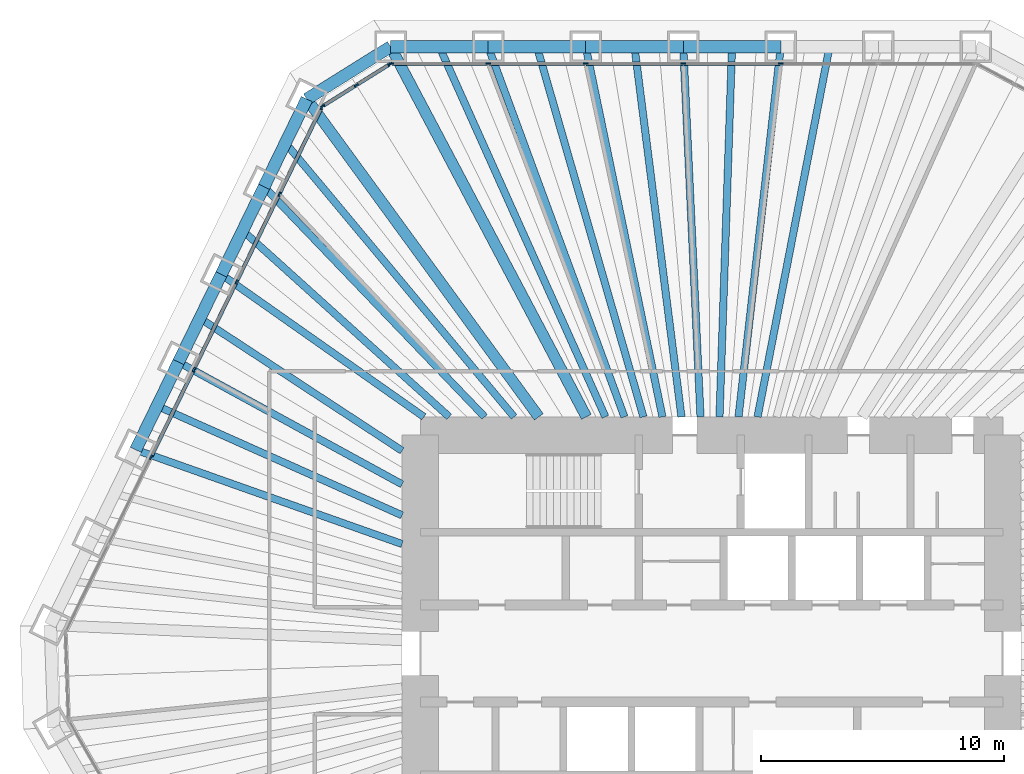
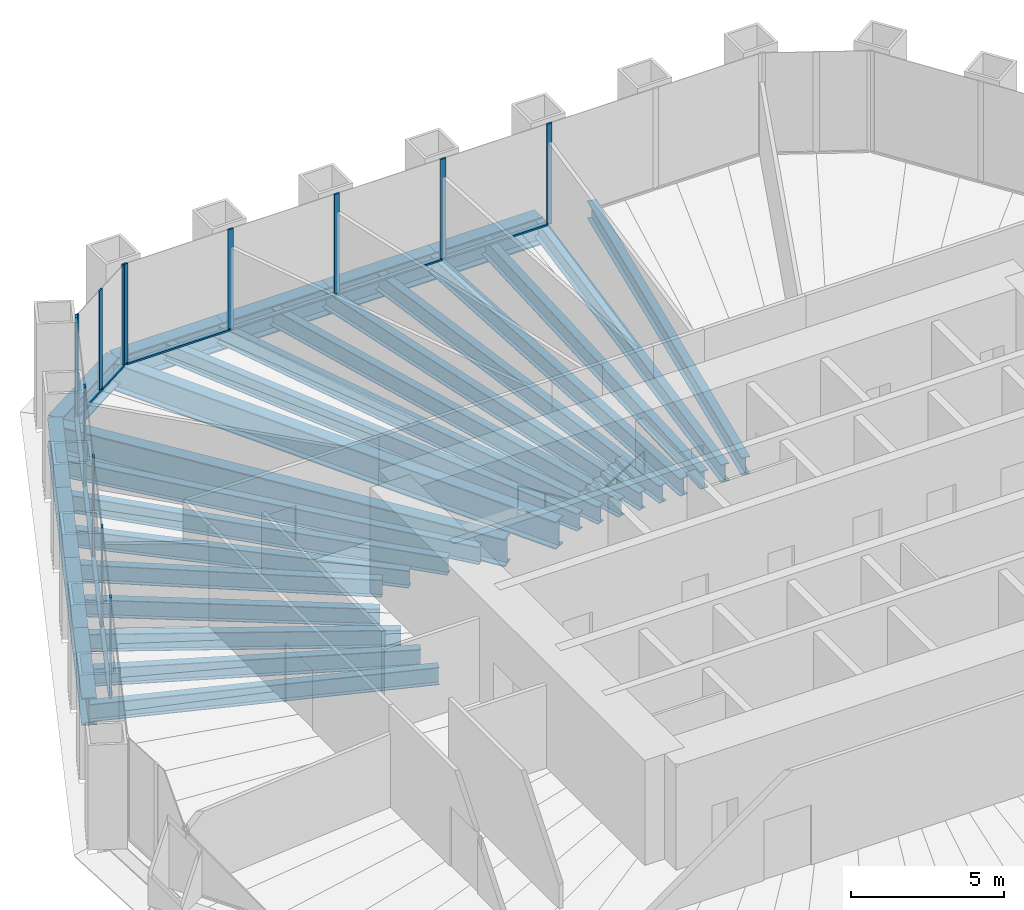
# One storey, part 6 of 13: 28 beams, 23 members, 3 elements without a shape of their own.
"""IFC4 building model written with IfcOpenShell, lengths in metres."""

from ifc_helpers import new_model, si_unit, direction, frame, origin, origin_2d, place, context, subcontext, project, spatial, rectangle, i_section, extrude, material, material_profile, profile_set, type_object, element, aggregate, save


model = new_model("IFC4")

# Units and contexts
model_context = context("Model", 3, precision=1e-05, world=origin(), true_north=direction((0.0, 1.0)))
body_context = subcontext(model_context, "Body", "Model", "MODEL_VIEW")
ifc_project = project(units=[si_unit("LENGTHUNIT", "METRE"), si_unit("AREAUNIT", "SQUARE_METRE"), si_unit("VOLUMEUNIT", "CUBIC_METRE"), si_unit("PLANEANGLEUNIT", "RADIAN"), si_unit("MASSUNIT", "GRAM", prefix="KILO")], contexts=[model_context])

# Site, building, storey
site_placement = place(None, origin())
site = spatial("IfcSite", under=ifc_project, at=site_placement, CompositionType="ELEMENT")
building_placement = place(site_placement, origin())
building = spatial("IfcBuilding", under=site, at=building_placement, Name="Qingtian Harvest Tower", CompositionType="ELEMENT")
storey_placement = place(building_placement, frame((0.0, 0.0, 140.800048828125)))
storey = spatial("IfcBuildingStorey", under=building, at=storey_placement, Name="L29", CompositionType="ELEMENT", Elevation=140.800048828125)

# Beams
ifc_material_1 = material(Name="Steel SM570MC", Category="steel")
ifc_material_profile_1 = material_profile(ifc_material_1, i_section(OverallWidth=0.449951171875, OverallDepth=1.10009765625, WebThickness=0.02197265625, FlangeThickness=0.044921875, at=origin_2d()), Name="H1100x450x22x45")
ifc_profile_set_1 = profile_set([ifc_material_profile_1], Name="Steel SM570MC")
beam_type_1 = type_object("IfcBeamType", Name="Corner floor beam FB8 H1100x450x22x45", PredefinedType="BEAM", material=ifc_profile_set_1)
beam_1_placement = place(storey_placement, frame((-13.2216796875, 25.0, -0.719970703125), z_axis=(0.46750989692, -0.88398783718, 0.0), x_axis=(0.88398783718, 0.46750989692, 0.0)))
element("IfcBeam", 1, at=beam_1_placement, inside=storey, type_object=beam_type_1, Name="Floor beam FB8 N0", PredefinedType="BEAM", context=body_context, shape_type="SweptSolid", body=[
    extrude(i_section(OverallWidth=0.449951171875, OverallDepth=1.10009765625, WebThickness=0.02197265625, FlangeThickness=0.044921875, at=origin_2d()), origin(), (0.0, 0.0, 1.0), 17.25146484375),
])
beam_2_placement = place(storey_placement, frame((-16.673828125, 22.8427734375, -0.719970703125), z_axis=(0.589577703364, -0.807711663712, 0.0), x_axis=(0.807711663712, 0.589577703364, 0.0)))
element("IfcBeam", 2, at=beam_2_placement, inside=storey, type_object=beam_type_1, Name="Floor beam FB8 NW6", PredefinedType="BEAM", context=body_context, shape_type="SweptSolid", body=[
    extrude(i_section(OverallWidth=0.449951171875, OverallDepth=1.10009765625, WebThickness=0.02197265625, FlangeThickness=0.044921875, at=origin_2d()), origin(), (0.0, 0.0, 1.0), 16.209716796875),
])
ifc_material_2 = material(Name="Steel SN490B", Category="steel")
ifc_material_profile_2 = material_profile(ifc_material_2, i_section(OverallWidth=0.300048828125, OverallDepth=0.699951171875, WebThickness=0.012939453125, FlangeThickness=0.02392578125, at=origin_2d()), Name="H700x300x13x24")
ifc_profile_set_2 = profile_set([ifc_material_profile_2], Name="Steel SN490B")
beam_type_2 = type_object("IfcBeamType", Name="Floor beam FB2 H700x300x13x24", PredefinedType="BEAM", material=ifc_profile_set_2)
beam_3_placement = place(storey_placement, frame((-9.20263671875, 25.0, -0.52001953125), z_axis=(0.345440084985, -0.938440806703, 0.0), x_axis=(0.938440806703, 0.345440084985, 0.0)))
element("IfcBeam", 3, at=beam_3_placement, inside=storey, type_object=beam_type_2, Name="Floor beam FB2 N1", PredefinedType="BEAM", context=body_context, shape_type="SweptSolid", body=[
    extrude(i_section(OverallWidth=0.300048828125, OverallDepth=0.699951171875, WebThickness=0.012939453125, FlangeThickness=0.02392578125, at=origin_2d()), origin(), (0.0, 0.0, 1.0), 16.250244140625),
])
beam_4_placement = place(storey_placement, frame((-5.18359375, 25.0, -0.52001953125), z_axis=(0.203032709566, -0.979171955709, 0.0), x_axis=(0.979171955709, 0.203032709566, 0.0)))
element("IfcBeam", 4, at=beam_4_placement, inside=storey, type_object=beam_type_2, Name="Floor beam FB2 N2", PredefinedType="BEAM", context=body_context, shape_type="SweptSolid", body=[
    extrude(i_section(OverallWidth=0.300048828125, OverallDepth=0.699951171875, WebThickness=0.012939453125, FlangeThickness=0.02392578125, at=origin_2d()), origin(), (0.0, 0.0, 1.0), 15.574462890625),
])
beam_5_placement = place(storey_placement, frame((-1.16455078125, 25.0, -0.52001953125), z_axis=(0.046536361684, -0.998916596639, 0.0), x_axis=(0.998916596639, 0.046536361684, 0.0)))
element("IfcBeam", 5, at=beam_5_placement, inside=storey, type_object=beam_type_2, Name="Floor beam FB2 N3", PredefinedType="BEAM", context=body_context, shape_type="SweptSolid", body=[
    extrude(i_section(OverallWidth=0.300048828125, OverallDepth=0.699951171875, WebThickness=0.012939453125, FlangeThickness=0.02392578125, at=origin_2d()), origin(), (0.0, 0.0, 1.0), 15.2666015625),
])
beam_6_placement = place(storey_placement, frame((2.8544921875, 25.0, -0.52001953125), z_axis=(-0.113440722222, -0.993544766249, 0.0), x_axis=(0.993544766249, -0.113440722222, 0.0)))
element("IfcBeam", 6, at=beam_6_placement, inside=storey, type_object=beam_type_2, Name="Floor beam FB2 N4", PredefinedType="BEAM", context=body_context, shape_type="SweptSolid", body=[
    extrude(i_section(OverallWidth=0.300048828125, OverallDepth=0.699951171875, WebThickness=0.012939453125, FlangeThickness=0.02392578125, at=origin_2d()), origin(), (0.0, 0.0, 1.0), 15.34912109375),
])
beam_7_placement = place(storey_placement, frame((-23.72119140625, 8.3935546875, -0.52001953125), z_axis=(0.942723186419, -0.333576068967, 0.0), x_axis=(0.333576068967, 0.942723186419, 0.0)))
element("IfcBeam", 7, at=beam_7_placement, inside=storey, type_object=beam_type_2, Name="Floor beam FB2 NW2", PredefinedType="BEAM", context=body_context, shape_type="SweptSolid", body=[
    extrude(i_section(OverallWidth=0.300048828125, OverallDepth=0.699951171875, WebThickness=0.012939453125, FlangeThickness=0.02392578125, at=origin_2d()), origin(), (0.0, 0.0, 1.0), 11.6376953125),
])
beam_8_placement = place(storey_placement, frame((-21.95947265625, 12.005859375, -0.52001953125), z_axis=(0.877432026785, -0.479700988505, 0.0), x_axis=(0.479700988505, 0.877432026785, 0.0)))
element("IfcBeam", 8, at=beam_8_placement, inside=storey, type_object=beam_type_2, Name="Floor beam FB2 NW3", PredefinedType="BEAM", context=body_context, shape_type="SweptSolid", body=[
    extrude(i_section(OverallWidth=0.300048828125, OverallDepth=0.699951171875, WebThickness=0.012939453125, FlangeThickness=0.02392578125, at=origin_2d()), origin(), (0.0, 0.0, 1.0), 10.495849609375),
])
beam_9_placement = place(storey_placement, frame((-20.197509765625, 15.6181640625, -0.52001953125), z_axis=(0.818080343043, -0.57510394915, 0.0), x_axis=(0.57510394915, 0.818080343043, 0.0)))
element("IfcBeam", 9, at=beam_9_placement, inside=storey, type_object=beam_type_2, Name="Floor beam FB2 NW4", PredefinedType="BEAM", context=body_context, shape_type="SweptSolid", body=[
    extrude(i_section(OverallWidth=0.300048828125, OverallDepth=0.699951171875, WebThickness=0.012939453125, FlangeThickness=0.02392578125, at=origin_2d()), origin(), (0.0, 0.0, 1.0), 10.20361328125),
])
beam_10_placement = place(storey_placement, frame((-18.435791015625, 19.23046875, -0.52001953125), z_axis=(0.69204101057, -0.721858185303, 0.0), x_axis=(0.721858185303, 0.69204101057, 0.0)))
element("IfcBeam", 10, at=beam_10_placement, inside=storey, type_object=beam_type_2, Name="Floor beam FB2 NW5", PredefinedType="BEAM", context=body_context, shape_type="SweptSolid", body=[
    extrude(i_section(OverallWidth=0.300048828125, OverallDepth=0.699951171875, WebThickness=0.012939453125, FlangeThickness=0.02392578125, at=origin_2d()), origin(), (0.0, 0.0, 1.0), 13.13330078125),
])
ifc_material_3 = material(Name="Steel SN490B", Category="steel")
ifc_material_profile_3 = material_profile(ifc_material_3, i_section(OverallWidth=0.300048828125, OverallDepth=0.699951171875, WebThickness=0.012939453125, FlangeThickness=0.02392578125, at=origin_2d()), Name="H700x300x13x24")
ifc_profile_set_3 = profile_set([ifc_material_profile_3], Name="Steel SN490B")
beam_type_3 = type_object("IfcBeamType", Name="Floor joist J2 H700x300x13x24", PredefinedType="JOIST", material=ifc_profile_set_3)
beam_11_placement = place(storey_placement, frame((-11.212158203125, 25.0, -0.52001953125), z_axis=(0.409212761683, -0.912438992852, 0.0), x_axis=(0.912438992852, 0.409212761683, 0.0)))
element("IfcBeam", 11, at=beam_11_placement, inside=storey, type_object=beam_type_3, Name="Floor joist J2 N0", PredefinedType="JOIST", context=body_context, shape_type="SweptSolid", body=[
    extrude(i_section(OverallWidth=0.300048828125, OverallDepth=0.699951171875, WebThickness=0.012939453125, FlangeThickness=0.02392578125, at=origin_2d()), origin(), (0.0, 0.0, 1.0), 16.71337890625),
])
beam_12_placement = place(storey_placement, frame((-7.193115234375, 25.0, -0.52001953125), z_axis=(0.276500682027, -0.961013721462, 0.0), x_axis=(0.961013721462, 0.276500682027, 0.0)))
element("IfcBeam", 12, at=beam_12_placement, inside=storey, type_object=beam_type_3, Name="Floor joist J2 N1", PredefinedType="JOIST", context=body_context, shape_type="SweptSolid", body=[
    extrude(i_section(OverallWidth=0.300048828125, OverallDepth=0.699951171875, WebThickness=0.012939453125, FlangeThickness=0.02392578125, at=origin_2d()), origin(), (0.0, 0.0, 1.0), 15.86865234375),
])
beam_13_placement = place(storey_placement, frame((-3.174072265625, 25.0, -0.52001953125), z_axis=(0.125957899702, -0.992035587821, 0.0), x_axis=(0.992035587821, 0.125957899702, 0.0)))
element("IfcBeam", 13, at=beam_13_placement, inside=storey, type_object=beam_type_3, Name="Floor joist J2 N2", PredefinedType="JOIST", context=body_context, shape_type="SweptSolid", body=[
    extrude(i_section(OverallWidth=0.300048828125, OverallDepth=0.699951171875, WebThickness=0.012939453125, FlangeThickness=0.02392578125, at=origin_2d()), origin(), (0.0, 0.0, 1.0), 15.372314453125),
])
beam_14_placement = place(storey_placement, frame((0.844970703125, 25.0, -0.52001953125), z_axis=(-0.033776183237, -0.999429421943, 0.0), x_axis=(0.999429421943, -0.033776183237, 0.0)))
element("IfcBeam", 14, at=beam_14_placement, inside=storey, type_object=beam_type_3, Name="Floor joist J2 N3", PredefinedType="JOIST", context=body_context, shape_type="SweptSolid", body=[
    extrude(i_section(OverallWidth=0.300048828125, OverallDepth=0.699951171875, WebThickness=0.012939453125, FlangeThickness=0.02392578125, at=origin_2d()), origin(), (0.0, 0.0, 1.0), 15.2587890625),
])
beam_15_placement = place(storey_placement, frame((4.864013671875, 25.0, -0.52001953125), z_axis=(-0.190979017217, -0.981594119269, 0.0), x_axis=(0.981594119269, -0.190979017217, 0.0)))
element("IfcBeam", 15, at=beam_15_placement, inside=storey, type_object=beam_type_3, Name="Floor joist J2 N4", PredefinedType="JOIST", context=body_context, shape_type="SweptSolid", body=[
    extrude(i_section(OverallWidth=0.300048828125, OverallDepth=0.699951171875, WebThickness=0.012939453125, FlangeThickness=0.02392578125, at=origin_2d()), origin(), (0.0, 0.0, 1.0), 15.535888671875),
])
beam_16_placement = place(storey_placement, frame((-22.84033203125, 10.19970703125, -0.52001953125), z_axis=(0.913095877166, -0.407744919162, 0.0), x_axis=(0.407744919162, 0.913095877166, 0.0)))
element("IfcBeam", 16, at=beam_16_placement, inside=storey, type_object=beam_type_3, Name="Floor joist J2 NW2", PredefinedType="JOIST", context=body_context, shape_type="SweptSolid", body=[
    extrude(i_section(OverallWidth=0.300048828125, OverallDepth=0.699951171875, WebThickness=0.012939453125, FlangeThickness=0.02392578125, at=origin_2d()), origin(), (0.0, 0.0, 1.0), 11.05078125),
])
beam_17_placement = place(storey_placement, frame((-21.078369140625, 13.81201171875, -0.52001953125), z_axis=(0.836426246046, -0.548079496903, 0.0), x_axis=(0.548079496903, 0.836426246046, 0.0)))
element("IfcBeam", 17, at=beam_17_placement, inside=storey, type_object=beam_type_3, Name="Floor joist J2 NW3", PredefinedType="JOIST", context=body_context, shape_type="SweptSolid", body=[
    extrude(i_section(OverallWidth=0.300048828125, OverallDepth=0.699951171875, WebThickness=0.012939453125, FlangeThickness=0.02392578125, at=origin_2d()), origin(), (0.0, 0.0, 1.0), 9.95703125),
])
beam_18_placement = place(storey_placement, frame((-19.316650390625, 17.42431640625, -0.52001953125), z_axis=(0.742543540775, -0.669797797886, 0.0), x_axis=(0.669797797886, 0.742543540775, 0.0)))
element("IfcBeam", 18, at=beam_18_placement, inside=storey, type_object=beam_type_3, Name="Floor joist J2 NW4", PredefinedType="JOIST", context=body_context, shape_type="SweptSolid", body=[
    extrude(i_section(OverallWidth=0.300048828125, OverallDepth=0.699951171875, WebThickness=0.012939453125, FlangeThickness=0.02392578125, at=origin_2d()), origin(), (0.0, 0.0, 1.0), 11.457763671875),
])
beam_19_placement = place(storey_placement, frame((-17.5546875, 21.03662109375, -0.52001953125), z_axis=(0.640703730007, -0.767788206704, 0.0), x_axis=(0.767788206704, 0.640703730007, 0.0)))
element("IfcBeam", 19, at=beam_19_placement, inside=storey, type_object=beam_type_3, Name="Floor joist J2 NW5", PredefinedType="JOIST", context=body_context, shape_type="SweptSolid", body=[
    extrude(i_section(OverallWidth=0.300048828125, OverallDepth=0.699951171875, WebThickness=0.012939453125, FlangeThickness=0.02392578125, at=origin_2d()), origin(), (0.0, 0.0, 1.0), 14.7001953125),
])

# Curtain wall, members
ifc_material_4 = material(Name="Bronze-anodised aluminium curtain wall", Category="aluminium")
curtain_wall_type = type_object("IfcCurtainWallType", Name="Curtain wall CW4 office", PredefinedType="USERDEFINED", material=ifc_material_4)
curtain_wall_1_placement = place(storey_placement, origin())
curtain_wall_1 = element("IfcCurtainWall", 20, at=curtain_wall_1_placement, inside=storey, type_object=curtain_wall_type, Name="Curtain wall CW4 L29 N0-5", ObjectType="RECESSED CURTAIN WALL", PredefinedType="USERDEFINED")
ifc_material_5 = material(Name="Bronze-anodised aluminium mullion", Category="aluminium")
ifc_material_profile_4 = material_profile(ifc_material_5, rectangle(XDim=0.06494140625, YDim=0.199951171875, at=origin_2d()), Name="AL 65x200")
ifc_profile_set_4 = profile_set([ifc_material_profile_4], Name="Bronze-anodised aluminium mullion")
member_type_1 = type_object("IfcMemberType", Name="Mullion CWM 65x200", PredefinedType="MULLION", material=ifc_profile_set_4)
member_1_placement = place(storey_placement, frame((-13.189208984375, 24.300048828125, 0.0), z_axis=(0.0, 0.0, 1.0), x_axis=(0.0, 1.0, 0.0)))
member_1 = element("IfcMember", 21, at=member_1_placement, type_object=member_type_1, Name="CW4 mullion 1", PredefinedType="MULLION", context=body_context, shape_type="SweptSolid", body=[
    extrude(rectangle(XDim=0.06494140625, YDim=0.199951171875, at=origin_2d()), origin(), (0.0, 0.0, 1.0), 4.030029296875),
])
member_2_placement = place(storey_placement, frame((-9.20263671875, 24.300048828125, 0.0), z_axis=(0.0, 0.0, 1.0), x_axis=(0.0, 1.0, 0.0)))
member_2 = element("IfcMember", 22, at=member_2_placement, type_object=member_type_1, Name="CW4 mullion 2", PredefinedType="MULLION", context=body_context, shape_type="SweptSolid", body=[
    extrude(rectangle(XDim=0.06494140625, YDim=0.199951171875, at=origin_2d()), origin(), (0.0, 0.0, 1.0), 4.030029296875),
])
member_3_placement = place(storey_placement, frame((-5.18359375, 24.300048828125, 0.0), z_axis=(0.0, 0.0, 1.0), x_axis=(0.0, 1.0, 0.0)))
member_3 = element("IfcMember", 23, at=member_3_placement, type_object=member_type_1, Name="CW4 mullion 3", PredefinedType="MULLION", context=body_context, shape_type="SweptSolid", body=[
    extrude(rectangle(XDim=0.06494140625, YDim=0.199951171875, at=origin_2d()), origin(), (0.0, 0.0, 1.0), 4.030029296875),
])
member_4_placement = place(storey_placement, frame((-1.16455078125, 24.300048828125, 0.0), z_axis=(0.0, 0.0, 1.0), x_axis=(0.0, 1.0, 0.0)))
member_4 = element("IfcMember", 24, at=member_4_placement, type_object=member_type_1, Name="CW4 mullion 4", PredefinedType="MULLION", context=body_context, shape_type="SweptSolid", body=[
    extrude(rectangle(XDim=0.06494140625, YDim=0.199951171875, at=origin_2d()), origin(), (0.0, 0.0, 1.0), 4.030029296875),
])
member_5_placement = place(storey_placement, frame((2.8544921875, 24.300048828125, 0.0), z_axis=(0.0, 0.0, 1.0), x_axis=(0.0, 1.0, 0.0)))
member_5 = element("IfcMember", 25, at=member_5_placement, type_object=member_type_1, Name="CW4 mullion 5", PredefinedType="MULLION", context=body_context, shape_type="SweptSolid", body=[
    extrude(rectangle(XDim=0.06494140625, YDim=0.199951171875, at=origin_2d()), origin(), (0.0, 0.0, 1.0), 4.030029296875),
])

curtain_wall_2_placement = place(storey_placement, origin())
curtain_wall_2 = element("IfcCurtainWall", 26, at=curtain_wall_2_placement, inside=storey, type_object=curtain_wall_type, Name="Curtain wall CW4 L29 NW0-5", ObjectType="RECESSED CURTAIN WALL", PredefinedType="USERDEFINED")
member_6_placement = place(storey_placement, frame((-23.092041015625, 8.086669921875, 0.0), z_axis=(0.0, 0.0, 1.0), x_axis=(-0.898794046299, 0.438371146789, 0.0)))
member_6 = element("IfcMember", 27, at=member_6_placement, type_object=member_type_1, Name="CW4 mullion 3", PredefinedType="MULLION", context=body_context, shape_type="SweptSolid", body=[
    extrude(rectangle(XDim=0.06494140625, YDim=0.199951171875, at=origin_2d()), origin(), (0.0, 0.0, 1.0), 4.030029296875),
])
member_7_placement = place(storey_placement, frame((-21.330322265625, 11.698974609375, 0.0), z_axis=(0.0, 0.0, 1.0), x_axis=(-0.898794046299, 0.438371146789, 0.0)))
member_7 = element("IfcMember", 28, at=member_7_placement, type_object=member_type_1, Name="CW4 mullion 4", PredefinedType="MULLION", context=body_context, shape_type="SweptSolid", body=[
    extrude(rectangle(XDim=0.06494140625, YDim=0.199951171875, at=origin_2d()), origin(), (0.0, 0.0, 1.0), 4.030029296875),
])
member_8_placement = place(storey_placement, frame((-19.568359375, 15.311279296875, 0.0), z_axis=(0.0, 0.0, 1.0), x_axis=(-0.898794046299, 0.438371146789, 0.0)))
member_8 = element("IfcMember", 29, at=member_8_placement, type_object=member_type_1, Name="CW4 mullion 5", PredefinedType="MULLION", context=body_context, shape_type="SweptSolid", body=[
    extrude(rectangle(XDim=0.06494140625, YDim=0.199951171875, at=origin_2d()), origin(), (0.0, 0.0, 1.0), 4.030029296875),
])
member_9_placement = place(storey_placement, frame((-17.806396484375, 18.923828125, 0.0), z_axis=(0.0, 0.0, 1.0), x_axis=(-0.898794046299, 0.438371146789, 0.0)))
member_9 = element("IfcMember", 30, at=member_9_placement, type_object=member_type_1, Name="CW4 mullion 6", PredefinedType="MULLION", context=body_context, shape_type="SweptSolid", body=[
    extrude(rectangle(XDim=0.06494140625, YDim=0.199951171875, at=origin_2d()), origin(), (0.0, 0.0, 1.0), 4.030029296875),
])
member_10_placement = place(storey_placement, frame((-16.058837890625, 22.5068359375, 0.0), z_axis=(0.0, 0.0, 1.0), x_axis=(-0.898794046299, 0.438371146789, 0.0)))
member_10 = element("IfcMember", 31, at=member_10_placement, type_object=member_type_1, Name="CW4 mullion 7", PredefinedType="MULLION", context=body_context, shape_type="SweptSolid", body=[
    extrude(rectangle(XDim=0.06494140625, YDim=0.199951171875, at=origin_2d()), origin(), (0.0, 0.0, 1.0), 4.030029296875),
])

curtain_wall_3_placement = place(storey_placement, origin())
curtain_wall_3 = element("IfcCurtainWall", 32, at=curtain_wall_3_placement, inside=storey, type_object=curtain_wall_type, Name="Curtain wall CW4 L29 NWC", ObjectType="RECESSED CURTAIN WALL", PredefinedType="USERDEFINED")
member_11_placement = place(storey_placement, frame((-16.01708984375, 22.55322265625, 0.0), z_axis=(0.0, 0.0, 1.0), x_axis=(-0.529919264233, 0.848048096156, 0.0)))
member_11 = element("IfcMember", 33, at=member_11_placement, type_object=member_type_1, Name="CW4 mullion 1", PredefinedType="MULLION", context=body_context, shape_type="SweptSolid", body=[
    extrude(rectangle(XDim=0.06494140625, YDim=0.199951171875, at=origin_2d()), origin(), (0.0, 0.0, 1.0), 4.030029296875),
])
member_12_placement = place(storey_placement, frame((-14.63330078125, 23.41796875, 0.0), z_axis=(0.0, 0.0, 1.0), x_axis=(-0.529919264233, 0.848048096156, 0.0)))
member_12 = element("IfcMember", 34, at=member_12_placement, type_object=member_type_1, Name="CW4 mullion 2", PredefinedType="MULLION", context=body_context, shape_type="SweptSolid", body=[
    extrude(rectangle(XDim=0.06494140625, YDim=0.199951171875, at=origin_2d()), origin(), (0.0, 0.0, 1.0), 4.030029296875),
])
member_13_placement = place(storey_placement, frame((-13.249267578125, 24.28271484375, 0.0), z_axis=(0.0, 0.0, 1.0), x_axis=(-0.529919264233, 0.848048096156, 0.0)))
member_13 = element("IfcMember", 35, at=member_13_placement, type_object=member_type_1, Name="CW4 mullion 3", PredefinedType="MULLION", context=body_context, shape_type="SweptSolid", body=[
    extrude(rectangle(XDim=0.06494140625, YDim=0.199951171875, at=origin_2d()), origin(), (0.0, 0.0, 1.0), 4.030029296875),
])

# Beams
ifc_material_6 = material(Name="Steel SM570MC", Category="steel")
ifc_material_profile_5 = material_profile(ifc_material_6, i_section(OverallWidth=0.5, OverallDepth=1.10009765625, WebThickness=0.02490234375, FlangeThickness=0.050048828125, at=origin_2d()), Name="H1100x500x25x50")
ifc_profile_set_5 = profile_set([ifc_material_profile_5], Name="Steel SM570MC")
beam_type_4 = type_object("IfcBeamType", Name="Spandrel beam SB2 H1100x500x25x50", PredefinedType="SPANDREL", material=ifc_profile_set_5)
for number, where, z_axis, x_axis, name in (
    (36, (-13.2216796875, 25.0, -0.550048828125), (1.0, 0.0, 0.0), (0.0, 1.0, 0.0), "Spandrel SB2 N0"),
    (37, (-9.20263671875, 25.0, -0.550048828125), (1.0, 0.0, 0.0), (0.0, 1.0, 0.0), "Spandrel SB2 N1"),
    (38, (-5.18359375, 25.0, -0.550048828125), (1.0, 0.0, 0.0), (0.0, 1.0, 0.0), "Spandrel SB2 N2"),
    (39, (-1.16455078125, 25.0, -0.550048828125), (1.0, 0.0, 0.0), (0.0, 1.0, 0.0), "Spandrel SB2 N3"),
    (40, (-23.72119140625, 8.3935546875, -0.550048828125), (0.438347033158, 0.898805806902, 0.0), (-0.898805806902, 0.438347033158, 0.0), "Spandrel SB2 NW2"),
    (41, (-21.95947265625, 12.005859375, -0.550048828125), (0.438396105405, 0.89878187274, 0.0), (-0.89878187274, 0.438396105405, 0.0), "Spandrel SB2 NW3"),
    (42, (-20.197509765625, 15.6181640625, -0.550048828125), (0.438347033158, 0.898805806902, 0.0), (-0.898805806902, 0.438347033158, 0.0), "Spandrel SB2 NW4"),
    (43, (-18.435791015625, 19.23046875, -0.550048828125), (0.438396105405, 0.89878187274, 0.0), (-0.89878187274, 0.438396105405, 0.0), "Spandrel SB2 NW5"),
):
    element("IfcBeam", number, at=place(storey_placement, frame(where, z_axis=z_axis, x_axis=x_axis)), inside=storey, type_object=beam_type_4, Name=name, PredefinedType="SPANDREL", context=body_context, shape_type="SweptSolid", body=[
        extrude(i_section(OverallWidth=0.5, OverallDepth=1.10009765625, WebThickness=0.02490234375, FlangeThickness=0.050048828125, at=origin_2d()), origin(), (0.0, 0.0, 1.0), 4.01904296875),
    ])
beam_20_placement = place(storey_placement, frame((-16.673828125, 22.8427734375, -0.550048828125), z_axis=(0.848038733752, 0.529934246919, 0.0), x_axis=(-0.529934246919, 0.848038733752, 0.0)))
element("IfcBeam", 44, at=beam_20_placement, inside=storey, type_object=beam_type_4, Name="Spandrel SB2 NWC", PredefinedType="SPANDREL", context=body_context, shape_type="SweptSolid", body=[
    extrude(i_section(OverallWidth=0.5, OverallDepth=1.10009765625, WebThickness=0.02490234375, FlangeThickness=0.050048828125, at=origin_2d()), origin(), (0.0, 0.0, 1.0), 4.07080078125),
])

# Member
ifc_material_7 = material(Name="Bronze-anodised aluminium transom", Category="aluminium")
ifc_material_profile_6 = material_profile(ifc_material_7, rectangle(XDim=0.14990234375, YDim=0.06494140625, at=origin_2d()), Name="AL 65x150")
ifc_profile_set_6 = profile_set([ifc_material_profile_6], Name="Bronze-anodised aluminium transom")
member_type_2 = type_object("IfcMemberType", Name="Transom CWT 65x150", PredefinedType="USERDEFINED", material=ifc_profile_set_6)
member_14_placement = place(storey_placement, frame((-13.15673828125, 24.300048828125, 0.032470703125), z_axis=(1.0, 0.0, 0.0), x_axis=(0.0, 1.0, 0.0)))
member_14 = element("IfcMember", 45, at=member_14_placement, type_object=member_type_2, Name="CW4 transom 1.1", ObjectType="TRANSOM", PredefinedType="USERDEFINED", context=body_context, shape_type="SweptSolid", body=[
    extrude(rectangle(XDim=0.14990234375, YDim=0.06494140625, at=origin_2d()), origin(), (0.0, 0.0, 1.0), 3.921630859375),
])

member_15_placement = place(storey_placement, frame((-9.170166015625, 24.300048828125, 0.032470703125), z_axis=(1.0, 0.0, 0.0), x_axis=(0.0, 1.0, 0.0)))
member_15 = element("IfcMember", 46, at=member_15_placement, type_object=member_type_2, Name="CW4 transom 2.1", ObjectType="TRANSOM", PredefinedType="USERDEFINED", context=body_context, shape_type="SweptSolid", body=[
    extrude(rectangle(XDim=0.14990234375, YDim=0.06494140625, at=origin_2d()), origin(), (0.0, 0.0, 1.0), 3.9541015625),
])

member_16_placement = place(storey_placement, frame((-5.151123046875, 24.300048828125, 0.032470703125), z_axis=(1.0, 0.0, 0.0), x_axis=(0.0, 1.0, 0.0)))
member_16 = element("IfcMember", 47, at=member_16_placement, type_object=member_type_2, Name="CW4 transom 3.1", ObjectType="TRANSOM", PredefinedType="USERDEFINED", context=body_context, shape_type="SweptSolid", body=[
    extrude(rectangle(XDim=0.14990234375, YDim=0.06494140625, at=origin_2d()), origin(), (0.0, 0.0, 1.0), 3.9541015625),
])

member_17_placement = place(storey_placement, frame((-1.132080078125, 24.300048828125, 0.032470703125), z_axis=(1.0, 0.0, 0.0), x_axis=(0.0, 1.0, 0.0)))
member_17 = element("IfcMember", 48, at=member_17_placement, type_object=member_type_2, Name="CW4 transom 4.1", ObjectType="TRANSOM", PredefinedType="USERDEFINED", context=body_context, shape_type="SweptSolid", body=[
    extrude(rectangle(XDim=0.14990234375, YDim=0.06494140625, at=origin_2d()), origin(), (0.0, 0.0, 1.0), 3.9541015625),
])

aggregate(curtain_wall_1, [member_1, member_2, member_3, member_4, member_5, member_14, member_15, member_16, member_17])

member_18_placement = place(storey_placement, frame((-23.077880859375, 8.115966796875, 0.032470703125), z_axis=(0.438374972828, 0.898792180205, 0.0), x_axis=(-0.898792180205, 0.438374972828, 0.0)))
member_18 = element("IfcMember", 49, at=member_18_placement, type_object=member_type_2, Name="CW4 transom 3.1", ObjectType="TRANSOM", PredefinedType="USERDEFINED", context=body_context, shape_type="SweptSolid", body=[
    extrude(rectangle(XDim=0.14990234375, YDim=0.06494140625, at=origin_2d()), origin(), (0.0, 0.0, 1.0), 3.9541015625),
])

member_19_placement = place(storey_placement, frame((-21.31591796875, 11.728271484375, 0.032470703125), z_axis=(0.438374972828, 0.898792180205, 0.0), x_axis=(-0.898792180205, 0.438374972828, 0.0)))
member_19 = element("IfcMember", 50, at=member_19_placement, type_object=member_type_2, Name="CW4 transom 4.1", ObjectType="TRANSOM", PredefinedType="USERDEFINED", context=body_context, shape_type="SweptSolid", body=[
    extrude(rectangle(XDim=0.14990234375, YDim=0.06494140625, at=origin_2d()), origin(), (0.0, 0.0, 1.0), 3.9541015625),
])

member_20_placement = place(storey_placement, frame((-19.55419921875, 15.340576171875, 0.032470703125), z_axis=(0.438374972828, 0.898792180205, 0.0), x_axis=(-0.898792180205, 0.438374972828, 0.0)))
member_20 = element("IfcMember", 51, at=member_20_placement, type_object=member_type_2, Name="CW4 transom 5.1", ObjectType="TRANSOM", PredefinedType="USERDEFINED", context=body_context, shape_type="SweptSolid", body=[
    extrude(rectangle(XDim=0.14990234375, YDim=0.06494140625, at=origin_2d()), origin(), (0.0, 0.0, 1.0), 3.9541015625),
])

member_21_placement = place(storey_placement, frame((-17.792236328125, 18.952880859375, 0.032470703125), z_axis=(0.438351261745, 0.898803744611, 0.0), x_axis=(-0.898803744611, 0.438351261745, 0.0)))
member_21 = element("IfcMember", 52, at=member_21_placement, type_object=member_type_2, Name="CW4 transom 6.1", ObjectType="TRANSOM", PredefinedType="USERDEFINED", context=body_context, shape_type="SweptSolid", body=[
    extrude(rectangle(XDim=0.14990234375, YDim=0.06494140625, at=origin_2d()), origin(), (0.0, 0.0, 1.0), 3.92138671875),
])

aggregate(curtain_wall_2, [member_6, member_7, member_8, member_9, member_10, member_18, member_19, member_20, member_21])

member_22_placement = place(storey_placement, frame((-15.989501953125, 22.570556640625, 0.032470703125), z_axis=(0.848059570903, 0.529900900357, 0.0), x_axis=(-0.529900900357, 0.848059570903, 0.0)))
member_22 = element("IfcMember", 53, at=member_22_placement, type_object=member_type_2, Name="CW4 transom 1.1", ObjectType="TRANSOM", PredefinedType="USERDEFINED", context=body_context, shape_type="SweptSolid", body=[
    extrude(rectangle(XDim=0.14990234375, YDim=0.06494140625, at=origin_2d()), origin(), (0.0, 0.0, 1.0), 1.56689453125),
])

member_23_placement = place(storey_placement, frame((-14.605712890625, 23.435302734375, 0.032470703125), z_axis=(0.848059570903, 0.529900900357, 0.0), x_axis=(-0.529900900357, 0.848059570903, 0.0)))
member_23 = element("IfcMember", 54, at=member_23_placement, type_object=member_type_2, Name="CW4 transom 2.1", ObjectType="TRANSOM", PredefinedType="USERDEFINED", context=body_context, shape_type="SweptSolid", body=[
    extrude(rectangle(XDim=0.14990234375, YDim=0.06494140625, at=origin_2d()), origin(), (0.0, 0.0, 1.0), 1.56689453125),
])

aggregate(curtain_wall_3, [member_11, member_12, member_13, member_22, member_23])

save(model, "model.ifc")
